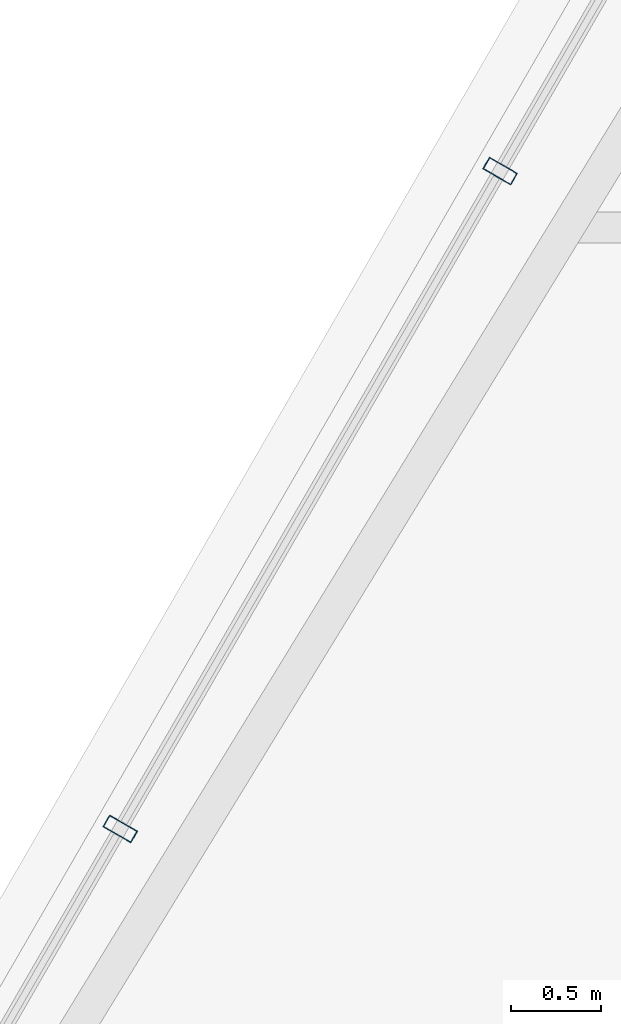
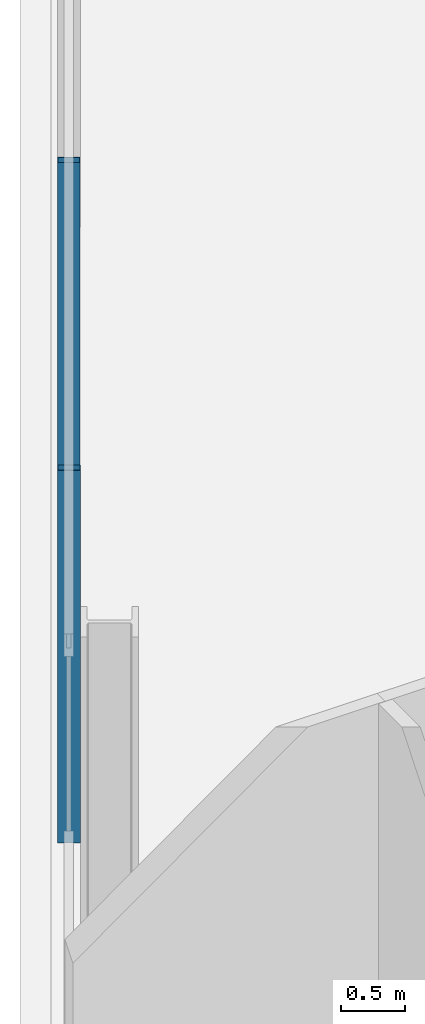
# One storey, part 12 of 33: 2 members, 1 element without a shape of its own.
"""IFC4 building model written with IfcOpenShell, lengths in metres."""

import ifcopenshell
import ifcopenshell.guid

model = None  # the IFC model being written
_history = None  # IfcOwnerHistory: only IFC2X3 demands one
_inside = {}  # id of a spatial element -> (the spatial element, [elements in it])
_under = {}  # id of a project, library or spatial element -> (it, [spatial elements below it])
_declared = {}  # id of a project -> (the project, [libraries it declares])
_typed = {}  # id of a type object -> (the type object, [elements of that type])
_made_of = {}  # id of a material, layer set ... -> (it, [elements and type objects made of it])


def new_model(schema):
    """Start an empty IFC model of exactly this schema.

    Asked for "IFC4X3", IfcOpenShell would pick the latest addendum, in which some entities
    have other attributes; the version numbers below select the first issue.
    IFC2X3 requires an IfcOwnerHistory on every rooted entity: one is made here for all.
    """
    global model, _history
    if schema == "IFC4X3":
        model = ifcopenshell.file(schema_version=(4, 3, 0, 0))
    else:
        model = ifcopenshell.file(schema=schema)
    _inside.clear()
    _under.clear()
    _declared.clear()
    _typed.clear()
    _made_of.clear()
    _history = None
    if model.schema == "IFC2X3":
        org = make("IfcOrganization", Name="unknown")
        user = make(
            "IfcPersonAndOrganization",
            ThePerson=make("IfcPerson", FamilyName="unknown"),
            TheOrganization=org,
        )
        app = make(
            "IfcApplication",
            ApplicationDeveloper=org,
            Version="unknown",
            ApplicationFullName="unknown",
            ApplicationIdentifier="unknown",
        )
        _history = make(
            "IfcOwnerHistory",
            OwningUser=user,
            OwningApplication=app,
            ChangeAction="ADDED",
            CreationDate=0,
        )
    return model


def make(cls, **values):
    """One entity of the class cls with the attributes given. An attribute that is None is left unset."""
    return model.create_entity(
        cls, **{name: value for name, value in values.items() if value is not None}
    )


def rooted(cls, **values):
    """An entity with a GlobalId (a new one), such as an element, a storey or a relation."""
    return make(cls, GlobalId=ifcopenshell.guid.new(), OwnerHistory=_history, **values)


def si_unit(unit_type, name, prefix=None):
    """IfcSIUnit, for example si_unit("LENGTHUNIT", "METRE", prefix="MILLI")."""
    return make("IfcSIUnit", UnitType=unit_type, Prefix=prefix, Name=name)


def assignment(units):
    """IfcUnitAssignment: the units of a project."""
    return None if units is None else make("IfcUnitAssignment", Units=units)


def point(xyz):
    """IfcCartesianPoint."""
    return None if xyz is None else make("IfcCartesianPoint", Coordinates=xyz)


def direction(xyz):
    """IfcDirection."""
    return None if xyz is None else make("IfcDirection", DirectionRatios=xyz)


def frame(location, z_axis=None, x_axis=None):
    """IfcAxis2Placement3D, a coordinate frame: its origin and axes. An axis left out is left unset."""
    return make(
        "IfcAxis2Placement3D",
        Location=point(location),
        Axis=direction(z_axis),
        RefDirection=direction(x_axis),
    )


def frame_2d(location, x_axis=None):
    """IfcAxis2Placement2D, a coordinate frame in the plane: its origin and x axis."""
    return make(
        "IfcAxis2Placement2D", Location=point(location), RefDirection=direction(x_axis)
    )


def origin():
    """The frame at (0, 0, 0) with its axes left unset."""
    return frame((0.0, 0.0, 0.0))


def origin_2d():
    """The frame at (0, 0) in the plane with its x axis left unset."""
    return frame_2d((0.0, 0.0))


def place(relative_to, where):
    """IfcLocalPlacement: puts the frame where relative to a parent placement (None: the world)."""
    return make(
        "IfcLocalPlacement", PlacementRelTo=relative_to, RelativePlacement=where
    )


def context(
    kind, dimensions, precision=None, world=None, true_north=None, identifier=None
):
    """IfcGeometricRepresentationContext, for example the 3D "Model" context."""
    return make(
        "IfcGeometricRepresentationContext",
        ContextIdentifier=identifier,
        ContextType=kind,
        CoordinateSpaceDimension=dimensions,
        Precision=precision,
        WorldCoordinateSystem=world,
        TrueNorth=true_north,
    )


def subcontext(parent, identifier, kind, view, scale=None):
    """IfcGeometricRepresentationSubContext, for example "Body" below "Model"."""
    return make(
        "IfcGeometricRepresentationSubContext",
        ContextIdentifier=identifier,
        ContextType=kind,
        ParentContext=parent,
        TargetScale=scale,
        TargetView=view,
    )


def project(units=None, contexts=None):
    """IfcProject with its units and contexts."""
    return rooted(
        "IfcProject",
        Name="project",
        RepresentationContexts=contexts,
        UnitsInContext=assignment(units),
    )


def spatial(cls, under=None, at=None, **own):
    """A site, building, storey or space (cls), placed at a placement, below another one or the project."""
    s = rooted(cls, ObjectPlacement=at, **own)
    if under is not None:
        _under.setdefault(under.id(), (under, []))[1].append(s)
    return s


def profile(cls, at=None, kind="AREA", **sizes):
    """A parametric profile (cls). Its sizes go by their IFC names, for example OverallWidth=200.0."""
    return make(cls, ProfileType=kind, Position=at, **sizes)


def hollow_rectangle(**sizes):
    """IfcRectangleHollowProfileDef."""
    return profile("IfcRectangleHollowProfileDef", **sizes)


def extrude(swept, where, along, depth):
    """IfcExtrudedAreaSolid: the profile swept, set in the frame where, extruded along a direction by depth."""
    return make(
        "IfcExtrudedAreaSolid",
        SweptArea=swept,
        Position=where,
        ExtrudedDirection=direction(along),
        Depth=depth,
    )


def shape(context_of_items, identifier, shape_type, items):
    """IfcShapeRepresentation: the items that make up one representation, for example the "Body"."""
    return make(
        "IfcShapeRepresentation",
        ContextOfItems=context_of_items,
        RepresentationIdentifier=identifier,
        RepresentationType=shape_type,
        Items=items,
    )


def material(Name=None, Category=None):
    """IfcMaterial."""
    return make("IfcMaterial", Name=Name, Category=Category)


def layer(
    of_material, thickness, ventilated=None, Name=None, Category=None, Priority=None
):
    """IfcMaterialLayer: one layer of a wall or slab, of a material (None: an air gap)."""
    return make(
        "IfcMaterialLayer",
        Material=of_material,
        LayerThickness=thickness,
        IsVentilated=ventilated,
        Name=Name,
        Category=Category,
        Priority=Priority,
    )


def layer_set(layers, Name=None):
    """IfcMaterialLayerSet."""
    return make("IfcMaterialLayerSet", MaterialLayers=layers, LayerSetName=Name)


def material_profile(
    of_material, cross_section, Name=None, Category=None, Priority=None
):
    """IfcMaterialProfile: a cross section and its material."""
    return make(
        "IfcMaterialProfile",
        Name=Name,
        Material=of_material,
        Profile=cross_section,
        Priority=Priority,
        Category=Category,
    )


def profile_set(profiles, Name=None, composite=None):
    """IfcMaterialProfileSet."""
    return make(
        "IfcMaterialProfileSet",
        Name=Name,
        MaterialProfiles=profiles,
        CompositeProfile=composite,
    )


def made_of(thing, what):
    """Note that an element or type object is made of a material, layer set ...; save() writes the relation."""
    if what is not None:
        _made_of.setdefault(what.id(), (what, []))[1].append(thing)
    return thing


def type_object(cls, material=None, **own):
    """A type object (cls), such as IfcWallType, which elements share."""
    return made_of(rooted(cls, **own), material)


def element(
    cls,
    number,
    at=None,
    inside=None,
    cuts=None,
    type_object=None,
    material=None,
    context=None,
    identifier="Body",
    shape_type=None,
    held_by="IfcProductDefinitionShape",
    body=None,
    shapes=None,
    **own,
):
    """One element of the class cls, such as IfcWall. Its Tag is "e" and its number.

    at: its placement. inside: the storey or other place that contains it. cuts: it is an
    opening in that element (IfcRelVoidsElement). A single representation is given by context,
    identifier, shape_type and body (its items); several are given by shapes. held_by: the class
    of the entity that holds the representations. save() writes the other relations.
    """
    e = rooted(cls, Tag="e%d" % number, ObjectPlacement=at, **own)
    if body is not None:
        shapes = [shape(context, identifier, shape_type, body)]
    if shapes is not None:
        e.Representation = make(held_by, Representations=shapes)
    if inside is not None:
        _inside.setdefault(inside.id(), (inside, []))[1].append(e)
    if cuts is not None:
        rooted(
            "IfcRelVoidsElement", RelatingBuildingElement=cuts, RelatedOpeningElement=e
        )
    if type_object is not None:
        _typed.setdefault(type_object.id(), (type_object, []))[1].append(e)
    return made_of(e, material)


def aggregate(whole, parts):
    """IfcRelAggregates: a whole, such as a stair, and the parts it consists of."""
    return rooted("IfcRelAggregates", RelatingObject=whole, RelatedObjects=parts)


def save(model, path):
    """Write the relations noted so far, then the file.

    IfcRelAggregates (storeys below a building ...), IfcRelContainedInSpatialStructure (elements
    in a storey), IfcRelDefinesByType, IfcRelAssociatesMaterial and IfcRelDeclares: one each for
    every whole, place, type object, material and project.
    """
    for whole, parts in _under.values():
        aggregate(whole, parts)
    for where, things in _inside.values():
        rooted(
            "IfcRelContainedInSpatialStructure",
            RelatedElements=things,
            RelatingStructure=where,
        )
    for kind, things in _typed.values():
        rooted("IfcRelDefinesByType", RelatedObjects=things, RelatingType=kind)
    for what, things in _made_of.values():
        rooted("IfcRelAssociatesMaterial", RelatedObjects=things, RelatingMaterial=what)
    for by, libraries in _declared.values():
        rooted("IfcRelDeclares", RelatingContext=by, RelatedDefinitions=libraries)
    model.write(path)


model = new_model("IFC4")

# Units and contexts
model_context = context("Model", 3, precision=1e-05, world=origin(), true_north=direction((0.0, 1.0)))
body_context = subcontext(model_context, "Body", "Model", "MODEL_VIEW")
ifc_project = project(units=[si_unit("LENGTHUNIT", "METRE"), si_unit("AREAUNIT", "SQUARE_METRE"), si_unit("VOLUMEUNIT", "CUBIC_METRE"), si_unit("PLANEANGLEUNIT", "RADIAN"), si_unit("MASSUNIT", "GRAM", prefix="KILO")], contexts=[model_context])

# Site, building, storey
site_placement = place(None, origin())
site = spatial("IfcSite", under=ifc_project, at=site_placement, CompositionType="ELEMENT")
building_placement = place(site_placement, origin())
building = spatial("IfcBuilding", under=site, at=building_placement, Name="Ndaravel Arena Tower", CompositionType="ELEMENT")
storey_placement = place(building_placement, frame((0.0, 0.0, 184.0)))
storey = spatial("IfcBuildingStorey", under=building, at=storey_placement, Name="L44", CompositionType="ELEMENT", Elevation=184.0)

# Curtain wall, members
ifc_material_1 = material(Name="Aluminium", Category="aluminium")
ifc_layer = layer(ifc_material_1, 0.179931640625)
ifc_layer_set = layer_set([ifc_layer], Name="Aluminium")
curtain_wall_type = type_object("IfcCurtainWallType", Name="CW-SYS-03", PredefinedType="NOTDEFINED", material=ifc_layer_set)
curtain_wall_placement = place(storey_placement, origin())
curtain_wall = element("IfcCurtainWall", 1, at=curtain_wall_placement, inside=storey, type_object=curtain_wall_type, Name="L44 Faceted Crystal Curtain Wall CW-L44-E05", PredefinedType="NOTDEFINED")
ifc_material_2 = material(Name="Aluminium", Category="aluminium")
ifc_material_profile = material_profile(ifc_material_2, hollow_rectangle(XDim=0.074951171875, YDim=0.179931640625, WallThickness=0.00390625, at=origin_2d()), Name="CW MULLION 75x180x4")
ifc_profile_set = profile_set([ifc_material_profile], Name="Aluminium")
member_type = type_object("IfcMemberType", Name="MEM-CW-MUL180", PredefinedType="MULLION", material=ifc_profile_set)
member_1_placement = place(storey_placement, frame((30.927978515625, 35.31494140625, 0.0), z_axis=(0.0, 0.0, 1.0), x_axis=(-0.5, -0.866025403784, 0.0)))
member_1 = element("IfcMember", 2, at=member_1_placement, type_object=member_type, Name="CW-L44-E05 Mullion 03", PredefinedType="MULLION", context=body_context, shape_type="SweptSolid", body=[
    extrude(hollow_rectangle(XDim=0.074951171875, YDim=0.179931640625, WallThickness=0.00390625, at=origin_2d()), origin(), (0.0, 0.0, 1.0), 3.580078125),
])
member_2_placement = place(storey_placement, frame((28.8154296875, 31.655517578125, 0.0), z_axis=(0.0, 0.0, 1.0), x_axis=(-0.5, -0.866025403784, 0.0)))
member_2 = element("IfcMember", 3, at=member_2_placement, type_object=member_type, Name="CW-L44-E05 Mullion 04", PredefinedType="MULLION", context=body_context, shape_type="SweptSolid", body=[
    extrude(hollow_rectangle(XDim=0.074951171875, YDim=0.179931640625, WallThickness=0.00390625, at=origin_2d()), origin(), (0.0, 0.0, 1.0), 3.580078125),
])
aggregate(curtain_wall, [member_1, member_2])

save(model, "model.ifc")
